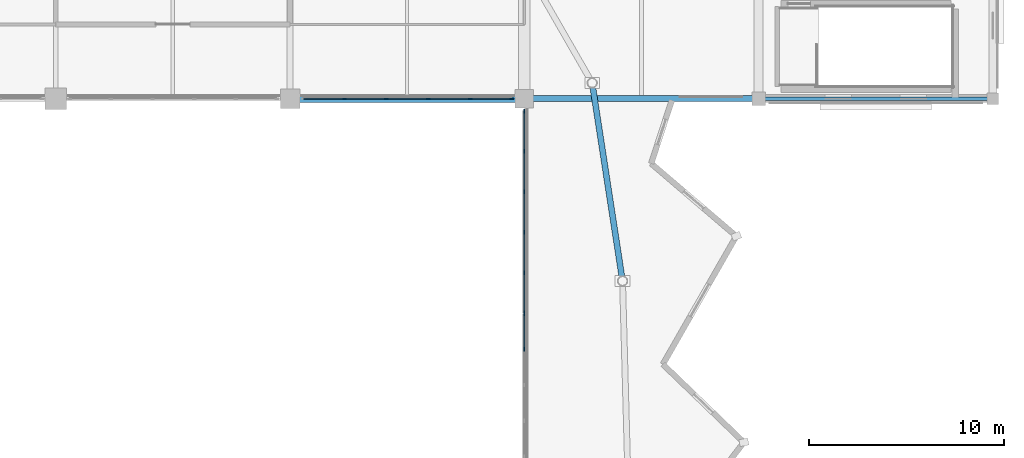
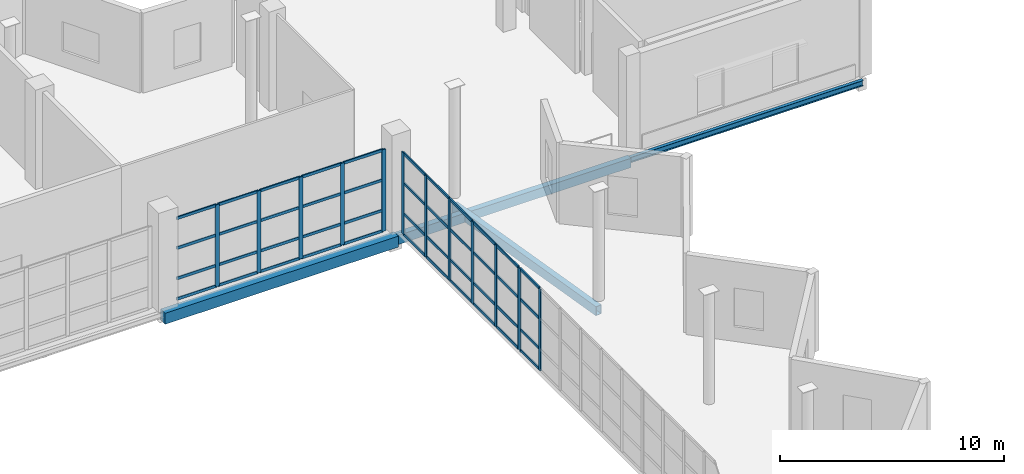
# One storey, part 28 of 49: 57 members, 4 beams, 3 elements without a shape of their own.
"""IFC4 building model written with IfcOpenShell, lengths in metres."""

from ifc_helpers import new_model, si_unit, direction, frame, origin, origin_2d, place, context, subcontext, project, spatial, rectangle, hollow_rectangle, i_section, extrude, material, material_profile, profile_set, type_object, element, aggregate, save


model = new_model("IFC4")

# Units and contexts
model_context = context("Model", 3, precision=1e-05, world=origin(), true_north=direction((0.0, 1.0)))
body_context = subcontext(model_context, "Body", "Model", "MODEL_VIEW")
ifc_project = project(units=[si_unit("LENGTHUNIT", "METRE"), si_unit("AREAUNIT", "SQUARE_METRE"), si_unit("VOLUMEUNIT", "CUBIC_METRE"), si_unit("PLANEANGLEUNIT", "RADIAN"), si_unit("MASSUNIT", "GRAM", prefix="KILO")], contexts=[model_context])

# Site, building, storey
site_placement = place(None, origin())
site = spatial("IfcSite", under=ifc_project, at=site_placement, CompositionType="ELEMENT")
building_placement = place(site_placement, origin())
building = spatial("IfcBuilding", under=site, at=building_placement, Name="Luwafu Chhajja Arena", CompositionType="ELEMENT")
storey_placement = place(building_placement, frame((0.0, 0.0, 24.300048828125)))
storey = spatial("IfcBuildingStorey", under=building, at=storey_placement, Name="L05", CompositionType="ELEMENT", Elevation=24.300048828125)

# Curtain wall, members
ifc_material_1 = material(Name="Anodised bronze aluminium", Category="aluminium")
curtain_wall_type = type_object("IfcCurtainWallType", Name="VIP Club Terrace Curtain Wall", PredefinedType="USERDEFINED", material=ifc_material_1)
curtain_wall_1_placement = place(storey_placement, origin())
curtain_wall_1 = element("IfcCurtainWall", 1, at=curtain_wall_1_placement, inside=storey, type_object=curtain_wall_type, Name="L05 Bowl Viewing Curtain Wall CWR-L05-14", ObjectType="CURTAIN WALL", PredefinedType="USERDEFINED")
ifc_material_profile_1 = material_profile(ifc_material_1, rectangle(XDim=0.06494140625, YDim=0.199951171875, at=origin_2d()), Name="CWM 65x200")
ifc_profile_set_1 = profile_set([ifc_material_profile_1], Name="Anodised bronze aluminium")
member_type_1 = type_object("IfcMemberType", Name="Bronze Curtain Wall Mullion 65x200", PredefinedType="MULLION", material=ifc_profile_set_1)
member_1_placement = place(storey_placement, frame((130.7890625, 77.0, 0.0), z_axis=(0.0, 0.0, 1.0), x_axis=(0.0, 1.0, 0.0)))
member_1 = element("IfcMember", 2, at=member_1_placement, type_object=member_type_1, Name="CW-10 mullion 2", PredefinedType="MULLION", context=body_context, shape_type="SweptSolid", body=[
    extrude(rectangle(XDim=0.06494140625, YDim=0.199951171875, at=origin_2d()), origin(), (0.0, 0.0, 1.0), 4.449951171875),
])
member_2_placement = place(storey_placement, frame((132.93798828125, 77.0, 0.0), z_axis=(0.0, 0.0, 1.0), x_axis=(0.0, 1.0, 0.0)))
member_2 = element("IfcMember", 3, at=member_2_placement, type_object=member_type_1, Name="CW-10 mullion 3", PredefinedType="MULLION", context=body_context, shape_type="SweptSolid", body=[
    extrude(rectangle(XDim=0.06494140625, YDim=0.199951171875, at=origin_2d()), origin(), (0.0, 0.0, 1.0), 4.449951171875),
])
member_3_placement = place(storey_placement, frame((135.0869140625, 77.0, 0.0), z_axis=(0.0, 0.0, 1.0), x_axis=(0.0, 1.0, 0.0)))
member_3 = element("IfcMember", 4, at=member_3_placement, type_object=member_type_1, Name="CW-10 mullion 4", PredefinedType="MULLION", context=body_context, shape_type="SweptSolid", body=[
    extrude(rectangle(XDim=0.06494140625, YDim=0.199951171875, at=origin_2d()), origin(), (0.0, 0.0, 1.0), 4.449951171875),
])
member_4_placement = place(storey_placement, frame((137.236083984375, 77.0, 0.0), z_axis=(0.0, 0.0, 1.0), x_axis=(0.0, 1.0, 0.0)))
member_4 = element("IfcMember", 5, at=member_4_placement, type_object=member_type_1, Name="CW-10 mullion 5", PredefinedType="MULLION", context=body_context, shape_type="SweptSolid", body=[
    extrude(rectangle(XDim=0.06494140625, YDim=0.199951171875, at=origin_2d()), origin(), (0.0, 0.0, 1.0), 4.449951171875),
])
member_5_placement = place(storey_placement, frame((139.3525390625, 77.0, 0.0), z_axis=(0.0, 0.0, 1.0), x_axis=(0.0, 1.0, 0.0)))
member_5 = element("IfcMember", 6, at=member_5_placement, type_object=member_type_1, Name="CW-10 mullion 6", PredefinedType="MULLION", context=body_context, shape_type="SweptSolid", body=[
    extrude(rectangle(XDim=0.06494140625, YDim=0.199951171875, at=origin_2d()), origin(), (0.0, 0.0, 1.0), 4.449951171875),
])

curtain_wall_2_placement = place(storey_placement, origin())
curtain_wall_2 = element("IfcCurtainWall", 7, at=curtain_wall_2_placement, inside=storey, type_object=curtain_wall_type, Name="L05 Bowl Viewing Curtain Wall CWR-L05-23", ObjectType="CURTAIN WALL", PredefinedType="USERDEFINED")
member_6_placement = place(storey_placement, frame((140.0, 64.166748046875, 0.0), z_axis=(0.0, 0.0, 1.0), x_axis=(-1.0, 0.0, 0.0)))
member_6 = element("IfcMember", 8, at=member_6_placement, type_object=member_type_1, Name="CW-10 mullion 6", PredefinedType="MULLION", context=body_context, shape_type="SweptSolid", body=[
    extrude(rectangle(XDim=0.06494140625, YDim=0.199951171875, at=origin_2d()), origin(), (0.0, 0.0, 1.0), 4.449951171875),
])
member_7_placement = place(storey_placement, frame((140.0, 65.967529296875, 0.0), z_axis=(0.0, 0.0, 1.0), x_axis=(-1.0, 0.0, 0.0)))
member_7 = element("IfcMember", 9, at=member_7_placement, type_object=member_type_1, Name="CW-10 mullion 7", PredefinedType="MULLION", context=body_context, shape_type="SweptSolid", body=[
    extrude(rectangle(XDim=0.06494140625, YDim=0.199951171875, at=origin_2d()), origin(), (0.0, 0.0, 1.0), 4.449951171875),
])

curtain_wall_3_placement = place(storey_placement, origin())
curtain_wall_3 = element("IfcCurtainWall", 10, at=curtain_wall_3_placement, inside=storey, type_object=curtain_wall_type, Name="L05 Bowl Viewing Curtain Wall CWR-L05-24", ObjectType="CURTAIN WALL", PredefinedType="USERDEFINED")
member_8_placement = place(storey_placement, frame((140.0, 66.032470703125, 0.0), z_axis=(0.0, 0.0, 1.0), x_axis=(-1.0, 0.0, 0.0)))
member_8 = element("IfcMember", 11, at=member_8_placement, type_object=member_type_1, Name="CW-10 mullion 1", PredefinedType="MULLION", context=body_context, shape_type="SweptSolid", body=[
    extrude(rectangle(XDim=0.06494140625, YDim=0.199951171875, at=origin_2d()), origin(), (0.0, 0.0, 1.0), 4.449951171875),
])
member_9_placement = place(storey_placement, frame((140.0, 68.076904296875, 0.0), z_axis=(0.0, 0.0, 1.0), x_axis=(-1.0, 0.0, 0.0)))
member_9 = element("IfcMember", 12, at=member_9_placement, type_object=member_type_1, Name="CW-10 mullion 2", PredefinedType="MULLION", context=body_context, shape_type="SweptSolid", body=[
    extrude(rectangle(XDim=0.06494140625, YDim=0.199951171875, at=origin_2d()), origin(), (0.0, 0.0, 1.0), 4.449951171875),
])
member_10_placement = place(storey_placement, frame((140.0, 70.154052734375, 0.0), z_axis=(0.0, 0.0, 1.0), x_axis=(-1.0, 0.0, 0.0)))
member_10 = element("IfcMember", 13, at=member_10_placement, type_object=member_type_1, Name="CW-10 mullion 3", PredefinedType="MULLION", context=body_context, shape_type="SweptSolid", body=[
    extrude(rectangle(XDim=0.06494140625, YDim=0.199951171875, at=origin_2d()), origin(), (0.0, 0.0, 1.0), 4.449951171875),
])
member_11_placement = place(storey_placement, frame((140.0, 72.23095703125, 0.0), z_axis=(0.0, 0.0, 1.0), x_axis=(-1.0, 0.0, 0.0)))
member_11 = element("IfcMember", 14, at=member_11_placement, type_object=member_type_1, Name="CW-10 mullion 4", PredefinedType="MULLION", context=body_context, shape_type="SweptSolid", body=[
    extrude(rectangle(XDim=0.06494140625, YDim=0.199951171875, at=origin_2d()), origin(), (0.0, 0.0, 1.0), 4.449951171875),
])
member_12_placement = place(storey_placement, frame((140.0, 74.30810546875, 0.0), z_axis=(0.0, 0.0, 1.0), x_axis=(-1.0, 0.0, 0.0)))
member_12 = element("IfcMember", 15, at=member_12_placement, type_object=member_type_1, Name="CW-10 mullion 5", PredefinedType="MULLION", context=body_context, shape_type="SweptSolid", body=[
    extrude(rectangle(XDim=0.06494140625, YDim=0.199951171875, at=origin_2d()), origin(), (0.0, 0.0, 1.0), 4.449951171875),
])
member_13_placement = place(storey_placement, frame((140.0, 76.3525390625, 0.0), z_axis=(0.0, 0.0, 1.0), x_axis=(-1.0, 0.0, 0.0)))
member_13 = element("IfcMember", 16, at=member_13_placement, type_object=member_type_1, Name="CW-10 mullion 6", PredefinedType="MULLION", context=body_context, shape_type="SweptSolid", body=[
    extrude(rectangle(XDim=0.06494140625, YDim=0.199951171875, at=origin_2d()), origin(), (0.0, 0.0, 1.0), 4.449951171875),
])

# Member
ifc_material_profile_2 = material_profile(ifc_material_1, rectangle(XDim=0.06494140625, YDim=0.14990234375, at=origin_2d()), Name="CWT 65x150")
ifc_profile_set_2 = profile_set([ifc_material_profile_2], Name="Anodised bronze aluminium")
member_type_2 = type_object("IfcMemberType", Name="Bronze Curtain Wall Transom 65x150", PredefinedType="USERDEFINED", material=ifc_profile_set_2)
member_14_placement = place(storey_placement, frame((128.705078125, 77.0, 0.032470703125), z_axis=(1.0, 0.0, 0.0), x_axis=(0.0, 1.0, 0.0)))
member_14 = element("IfcMember", 17, at=member_14_placement, type_object=member_type_2, Name="CW-10 transom 1.1", ObjectType="TRANSOM", PredefinedType="USERDEFINED", context=body_context, shape_type="SweptSolid", body=[
    extrude(rectangle(XDim=0.06494140625, YDim=0.14990234375, at=origin_2d()), origin(), (0.0, 0.0, 1.0), 2.051513671875),
])

member_15_placement = place(storey_placement, frame((128.705078125, 77.0, 1.14990234375), z_axis=(1.0, 0.0, 0.0), x_axis=(0.0, 1.0, 0.0)))
member_15 = element("IfcMember", 18, at=member_15_placement, type_object=member_type_2, Name="CW-10 transom 1.2", ObjectType="TRANSOM", PredefinedType="USERDEFINED", context=body_context, shape_type="SweptSolid", body=[
    extrude(rectangle(XDim=0.06494140625, YDim=0.14990234375, at=origin_2d()), origin(), (0.0, 0.0, 1.0), 2.051513671875),
])

member_16_placement = place(storey_placement, frame((128.705078125, 77.0, 2.800048828125), z_axis=(1.0, 0.0, 0.0), x_axis=(0.0, 1.0, 0.0)))
member_16 = element("IfcMember", 19, at=member_16_placement, type_object=member_type_2, Name="CW-10 transom 1.3", ObjectType="TRANSOM", PredefinedType="USERDEFINED", context=body_context, shape_type="SweptSolid", body=[
    extrude(rectangle(XDim=0.06494140625, YDim=0.14990234375, at=origin_2d()), origin(), (0.0, 0.0, 1.0), 2.051513671875),
])

member_17_placement = place(storey_placement, frame((128.705078125, 77.0, 4.41748046875), z_axis=(1.0, 0.0, 0.0), x_axis=(0.0, 1.0, 0.0)))
member_17 = element("IfcMember", 20, at=member_17_placement, type_object=member_type_2, Name="CW-10 transom 1.4", ObjectType="TRANSOM", PredefinedType="USERDEFINED", context=body_context, shape_type="SweptSolid", body=[
    extrude(rectangle(XDim=0.06494140625, YDim=0.14990234375, at=origin_2d()), origin(), (0.0, 0.0, 1.0), 2.051513671875),
])

member_18_placement = place(storey_placement, frame((130.821533203125, 77.0, 0.032470703125), z_axis=(1.0, 0.0, 0.0), x_axis=(0.0, 1.0, 0.0)))
member_18 = element("IfcMember", 21, at=member_18_placement, type_object=member_type_2, Name="CW-10 transom 2.1", ObjectType="TRANSOM", PredefinedType="USERDEFINED", context=body_context, shape_type="SweptSolid", body=[
    extrude(rectangle(XDim=0.06494140625, YDim=0.14990234375, at=origin_2d()), origin(), (0.0, 0.0, 1.0), 2.083984375),
])

member_19_placement = place(storey_placement, frame((130.821533203125, 77.0, 1.14990234375), z_axis=(1.0, 0.0, 0.0), x_axis=(0.0, 1.0, 0.0)))
member_19 = element("IfcMember", 22, at=member_19_placement, type_object=member_type_2, Name="CW-10 transom 2.2", ObjectType="TRANSOM", PredefinedType="USERDEFINED", context=body_context, shape_type="SweptSolid", body=[
    extrude(rectangle(XDim=0.06494140625, YDim=0.14990234375, at=origin_2d()), origin(), (0.0, 0.0, 1.0), 2.083984375),
])

member_20_placement = place(storey_placement, frame((130.821533203125, 77.0, 2.800048828125), z_axis=(1.0, 0.0, 0.0), x_axis=(0.0, 1.0, 0.0)))
member_20 = element("IfcMember", 23, at=member_20_placement, type_object=member_type_2, Name="CW-10 transom 2.3", ObjectType="TRANSOM", PredefinedType="USERDEFINED", context=body_context, shape_type="SweptSolid", body=[
    extrude(rectangle(XDim=0.06494140625, YDim=0.14990234375, at=origin_2d()), origin(), (0.0, 0.0, 1.0), 2.083984375),
])

member_21_placement = place(storey_placement, frame((130.821533203125, 77.0, 4.41748046875), z_axis=(1.0, 0.0, 0.0), x_axis=(0.0, 1.0, 0.0)))
member_21 = element("IfcMember", 24, at=member_21_placement, type_object=member_type_2, Name="CW-10 transom 2.4", ObjectType="TRANSOM", PredefinedType="USERDEFINED", context=body_context, shape_type="SweptSolid", body=[
    extrude(rectangle(XDim=0.06494140625, YDim=0.14990234375, at=origin_2d()), origin(), (0.0, 0.0, 1.0), 2.083984375),
])

member_22_placement = place(storey_placement, frame((132.970458984375, 77.0, 0.032470703125), z_axis=(1.0, 0.0, 0.0), x_axis=(0.0, 1.0, 0.0)))
member_22 = element("IfcMember", 25, at=member_22_placement, type_object=member_type_2, Name="CW-10 transom 3.1", ObjectType="TRANSOM", PredefinedType="USERDEFINED", context=body_context, shape_type="SweptSolid", body=[
    extrude(rectangle(XDim=0.06494140625, YDim=0.14990234375, at=origin_2d()), origin(), (0.0, 0.0, 1.0), 2.083984375),
])

member_23_placement = place(storey_placement, frame((132.970458984375, 77.0, 1.14990234375), z_axis=(1.0, 0.0, 0.0), x_axis=(0.0, 1.0, 0.0)))
member_23 = element("IfcMember", 26, at=member_23_placement, type_object=member_type_2, Name="CW-10 transom 3.2", ObjectType="TRANSOM", PredefinedType="USERDEFINED", context=body_context, shape_type="SweptSolid", body=[
    extrude(rectangle(XDim=0.06494140625, YDim=0.14990234375, at=origin_2d()), origin(), (0.0, 0.0, 1.0), 2.083984375),
])

member_24_placement = place(storey_placement, frame((132.970458984375, 77.0, 2.800048828125), z_axis=(1.0, 0.0, 0.0), x_axis=(0.0, 1.0, 0.0)))
member_24 = element("IfcMember", 27, at=member_24_placement, type_object=member_type_2, Name="CW-10 transom 3.3", ObjectType="TRANSOM", PredefinedType="USERDEFINED", context=body_context, shape_type="SweptSolid", body=[
    extrude(rectangle(XDim=0.06494140625, YDim=0.14990234375, at=origin_2d()), origin(), (0.0, 0.0, 1.0), 2.083984375),
])

member_25_placement = place(storey_placement, frame((132.970458984375, 77.0, 4.41748046875), z_axis=(1.0, 0.0, 0.0), x_axis=(0.0, 1.0, 0.0)))
member_25 = element("IfcMember", 28, at=member_25_placement, type_object=member_type_2, Name="CW-10 transom 3.4", ObjectType="TRANSOM", PredefinedType="USERDEFINED", context=body_context, shape_type="SweptSolid", body=[
    extrude(rectangle(XDim=0.06494140625, YDim=0.14990234375, at=origin_2d()), origin(), (0.0, 0.0, 1.0), 2.083984375),
])

member_26_placement = place(storey_placement, frame((135.119384765625, 77.0, 0.032470703125), z_axis=(1.0, 0.0, 0.0), x_axis=(0.0, 1.0, 0.0)))
member_26 = element("IfcMember", 29, at=member_26_placement, type_object=member_type_2, Name="CW-10 transom 4.1", ObjectType="TRANSOM", PredefinedType="USERDEFINED", context=body_context, shape_type="SweptSolid", body=[
    extrude(rectangle(XDim=0.06494140625, YDim=0.14990234375, at=origin_2d()), origin(), (0.0, 0.0, 1.0), 2.084228515625),
])

member_27_placement = place(storey_placement, frame((135.119384765625, 77.0, 1.14990234375), z_axis=(1.0, 0.0, 0.0), x_axis=(0.0, 1.0, 0.0)))
member_27 = element("IfcMember", 30, at=member_27_placement, type_object=member_type_2, Name="CW-10 transom 4.2", ObjectType="TRANSOM", PredefinedType="USERDEFINED", context=body_context, shape_type="SweptSolid", body=[
    extrude(rectangle(XDim=0.06494140625, YDim=0.14990234375, at=origin_2d()), origin(), (0.0, 0.0, 1.0), 2.084228515625),
])

member_28_placement = place(storey_placement, frame((135.119384765625, 77.0, 2.800048828125), z_axis=(1.0, 0.0, 0.0), x_axis=(0.0, 1.0, 0.0)))
member_28 = element("IfcMember", 31, at=member_28_placement, type_object=member_type_2, Name="CW-10 transom 4.3", ObjectType="TRANSOM", PredefinedType="USERDEFINED", context=body_context, shape_type="SweptSolid", body=[
    extrude(rectangle(XDim=0.06494140625, YDim=0.14990234375, at=origin_2d()), origin(), (0.0, 0.0, 1.0), 2.084228515625),
])

member_29_placement = place(storey_placement, frame((135.119384765625, 77.0, 4.41748046875), z_axis=(1.0, 0.0, 0.0), x_axis=(0.0, 1.0, 0.0)))
member_29 = element("IfcMember", 32, at=member_29_placement, type_object=member_type_2, Name="CW-10 transom 4.4", ObjectType="TRANSOM", PredefinedType="USERDEFINED", context=body_context, shape_type="SweptSolid", body=[
    extrude(rectangle(XDim=0.06494140625, YDim=0.14990234375, at=origin_2d()), origin(), (0.0, 0.0, 1.0), 2.084228515625),
])

member_30_placement = place(storey_placement, frame((137.2685546875, 77.0, 0.032470703125), z_axis=(1.0, 0.0, 0.0), x_axis=(0.0, 1.0, 0.0)))
member_30 = element("IfcMember", 33, at=member_30_placement, type_object=member_type_2, Name="CW-10 transom 5.1", ObjectType="TRANSOM", PredefinedType="USERDEFINED", context=body_context, shape_type="SweptSolid", body=[
    extrude(rectangle(XDim=0.06494140625, YDim=0.14990234375, at=origin_2d()), origin(), (0.0, 0.0, 1.0), 2.051513671875),
])

member_31_placement = place(storey_placement, frame((137.2685546875, 77.0, 1.14990234375), z_axis=(1.0, 0.0, 0.0), x_axis=(0.0, 1.0, 0.0)))
member_31 = element("IfcMember", 34, at=member_31_placement, type_object=member_type_2, Name="CW-10 transom 5.2", ObjectType="TRANSOM", PredefinedType="USERDEFINED", context=body_context, shape_type="SweptSolid", body=[
    extrude(rectangle(XDim=0.06494140625, YDim=0.14990234375, at=origin_2d()), origin(), (0.0, 0.0, 1.0), 2.051513671875),
])

member_32_placement = place(storey_placement, frame((137.2685546875, 77.0, 2.800048828125), z_axis=(1.0, 0.0, 0.0), x_axis=(0.0, 1.0, 0.0)))
member_32 = element("IfcMember", 35, at=member_32_placement, type_object=member_type_2, Name="CW-10 transom 5.3", ObjectType="TRANSOM", PredefinedType="USERDEFINED", context=body_context, shape_type="SweptSolid", body=[
    extrude(rectangle(XDim=0.06494140625, YDim=0.14990234375, at=origin_2d()), origin(), (0.0, 0.0, 1.0), 2.051513671875),
])

member_33_placement = place(storey_placement, frame((137.2685546875, 77.0, 4.41748046875), z_axis=(1.0, 0.0, 0.0), x_axis=(0.0, 1.0, 0.0)))
member_33 = element("IfcMember", 36, at=member_33_placement, type_object=member_type_2, Name="CW-10 transom 5.4", ObjectType="TRANSOM", PredefinedType="USERDEFINED", context=body_context, shape_type="SweptSolid", body=[
    extrude(rectangle(XDim=0.06494140625, YDim=0.14990234375, at=origin_2d()), origin(), (0.0, 0.0, 1.0), 2.051513671875),
])

aggregate(curtain_wall_1, [member_1, member_2, member_3, member_4, member_5, member_14, member_15, member_16, member_17, member_18, member_19, member_20, member_21, member_22, member_23, member_24, member_25, member_26, member_27, member_28, member_29, member_30, member_31, member_32, member_33])

member_34_placement = place(storey_placement, frame((140.0, 64.19921875, 0.032470703125), z_axis=(0.0, 1.0, 0.0), x_axis=(-1.0, 0.0, 0.0)))
member_34 = element("IfcMember", 37, at=member_34_placement, type_object=member_type_2, Name="CW-10 transom 6.1", ObjectType="TRANSOM", PredefinedType="USERDEFINED", context=body_context, shape_type="SweptSolid", body=[
    extrude(rectangle(XDim=0.06494140625, YDim=0.14990234375, at=origin_2d()), origin(), (0.0, 0.0, 1.0), 1.73583984375),
])

member_35_placement = place(storey_placement, frame((140.0, 64.19921875, 1.14990234375), z_axis=(0.0, 1.0, 0.0), x_axis=(-1.0, 0.0, 0.0)))
member_35 = element("IfcMember", 38, at=member_35_placement, type_object=member_type_2, Name="CW-10 transom 6.2", ObjectType="TRANSOM", PredefinedType="USERDEFINED", context=body_context, shape_type="SweptSolid", body=[
    extrude(rectangle(XDim=0.06494140625, YDim=0.14990234375, at=origin_2d()), origin(), (0.0, 0.0, 1.0), 1.73583984375),
])

member_36_placement = place(storey_placement, frame((140.0, 64.19921875, 2.800048828125), z_axis=(0.0, 1.0, 0.0), x_axis=(-1.0, 0.0, 0.0)))
member_36 = element("IfcMember", 39, at=member_36_placement, type_object=member_type_2, Name="CW-10 transom 6.3", ObjectType="TRANSOM", PredefinedType="USERDEFINED", context=body_context, shape_type="SweptSolid", body=[
    extrude(rectangle(XDim=0.06494140625, YDim=0.14990234375, at=origin_2d()), origin(), (0.0, 0.0, 1.0), 1.73583984375),
])

member_37_placement = place(storey_placement, frame((140.0, 64.19921875, 4.41748046875), z_axis=(0.0, 1.0, 0.0), x_axis=(-1.0, 0.0, 0.0)))
member_37 = element("IfcMember", 40, at=member_37_placement, type_object=member_type_2, Name="CW-10 transom 6.4", ObjectType="TRANSOM", PredefinedType="USERDEFINED", context=body_context, shape_type="SweptSolid", body=[
    extrude(rectangle(XDim=0.06494140625, YDim=0.14990234375, at=origin_2d()), origin(), (0.0, 0.0, 1.0), 1.73583984375),
])

aggregate(curtain_wall_2, [member_6, member_7, member_34, member_35, member_36, member_37])

member_38_placement = place(storey_placement, frame((140.0, 66.06494140625, 0.032470703125), z_axis=(0.0, 1.0, 0.0), x_axis=(-1.0, 0.0, 0.0)))
member_38 = element("IfcMember", 41, at=member_38_placement, type_object=member_type_2, Name="CW-10 transom 1.1", ObjectType="TRANSOM", PredefinedType="USERDEFINED", context=body_context, shape_type="SweptSolid", body=[
    extrude(rectangle(XDim=0.06494140625, YDim=0.14990234375, at=origin_2d()), origin(), (0.0, 0.0, 1.0), 1.9794921875),
])

member_39_placement = place(storey_placement, frame((140.0, 66.06494140625, 1.14990234375), z_axis=(0.0, 1.0, 0.0), x_axis=(-1.0, 0.0, 0.0)))
member_39 = element("IfcMember", 42, at=member_39_placement, type_object=member_type_2, Name="CW-10 transom 1.2", ObjectType="TRANSOM", PredefinedType="USERDEFINED", context=body_context, shape_type="SweptSolid", body=[
    extrude(rectangle(XDim=0.06494140625, YDim=0.14990234375, at=origin_2d()), origin(), (0.0, 0.0, 1.0), 1.9794921875),
])

member_40_placement = place(storey_placement, frame((140.0, 66.06494140625, 2.800048828125), z_axis=(0.0, 1.0, 0.0), x_axis=(-1.0, 0.0, 0.0)))
member_40 = element("IfcMember", 43, at=member_40_placement, type_object=member_type_2, Name="CW-10 transom 1.3", ObjectType="TRANSOM", PredefinedType="USERDEFINED", context=body_context, shape_type="SweptSolid", body=[
    extrude(rectangle(XDim=0.06494140625, YDim=0.14990234375, at=origin_2d()), origin(), (0.0, 0.0, 1.0), 1.9794921875),
])

member_41_placement = place(storey_placement, frame((140.0, 66.06494140625, 4.41748046875), z_axis=(0.0, 1.0, 0.0), x_axis=(-1.0, 0.0, 0.0)))
member_41 = element("IfcMember", 44, at=member_41_placement, type_object=member_type_2, Name="CW-10 transom 1.4", ObjectType="TRANSOM", PredefinedType="USERDEFINED", context=body_context, shape_type="SweptSolid", body=[
    extrude(rectangle(XDim=0.06494140625, YDim=0.14990234375, at=origin_2d()), origin(), (0.0, 0.0, 1.0), 1.9794921875),
])

member_42_placement = place(storey_placement, frame((140.0, 68.109619140625, 0.032470703125), z_axis=(0.0, 1.0, 0.0), x_axis=(-1.0, 0.0, 0.0)))
member_42 = element("IfcMember", 45, at=member_42_placement, type_object=member_type_2, Name="CW-10 transom 2.1", ObjectType="TRANSOM", PredefinedType="USERDEFINED", context=body_context, shape_type="SweptSolid", body=[
    extrude(rectangle(XDim=0.06494140625, YDim=0.14990234375, at=origin_2d()), origin(), (0.0, 0.0, 1.0), 2.011962890625),
])

member_43_placement = place(storey_placement, frame((140.0, 68.109619140625, 1.14990234375), z_axis=(0.0, 1.0, 0.0), x_axis=(-1.0, 0.0, 0.0)))
member_43 = element("IfcMember", 46, at=member_43_placement, type_object=member_type_2, Name="CW-10 transom 2.2", ObjectType="TRANSOM", PredefinedType="USERDEFINED", context=body_context, shape_type="SweptSolid", body=[
    extrude(rectangle(XDim=0.06494140625, YDim=0.14990234375, at=origin_2d()), origin(), (0.0, 0.0, 1.0), 2.011962890625),
])

member_44_placement = place(storey_placement, frame((140.0, 68.109619140625, 2.800048828125), z_axis=(0.0, 1.0, 0.0), x_axis=(-1.0, 0.0, 0.0)))
member_44 = element("IfcMember", 47, at=member_44_placement, type_object=member_type_2, Name="CW-10 transom 2.3", ObjectType="TRANSOM", PredefinedType="USERDEFINED", context=body_context, shape_type="SweptSolid", body=[
    extrude(rectangle(XDim=0.06494140625, YDim=0.14990234375, at=origin_2d()), origin(), (0.0, 0.0, 1.0), 2.011962890625),
])

member_45_placement = place(storey_placement, frame((140.0, 68.109619140625, 4.41748046875), z_axis=(0.0, 1.0, 0.0), x_axis=(-1.0, 0.0, 0.0)))
member_45 = element("IfcMember", 48, at=member_45_placement, type_object=member_type_2, Name="CW-10 transom 2.4", ObjectType="TRANSOM", PredefinedType="USERDEFINED", context=body_context, shape_type="SweptSolid", body=[
    extrude(rectangle(XDim=0.06494140625, YDim=0.14990234375, at=origin_2d()), origin(), (0.0, 0.0, 1.0), 2.011962890625),
])

member_46_placement = place(storey_placement, frame((140.0, 70.1865234375, 0.032470703125), z_axis=(0.0, 1.0, 0.0), x_axis=(-1.0, 0.0, 0.0)))
member_46 = element("IfcMember", 49, at=member_46_placement, type_object=member_type_2, Name="CW-10 transom 3.1", ObjectType="TRANSOM", PredefinedType="USERDEFINED", context=body_context, shape_type="SweptSolid", body=[
    extrude(rectangle(XDim=0.06494140625, YDim=0.14990234375, at=origin_2d()), origin(), (0.0, 0.0, 1.0), 2.011962890625),
])

member_47_placement = place(storey_placement, frame((140.0, 70.1865234375, 1.14990234375), z_axis=(0.0, 1.0, 0.0), x_axis=(-1.0, 0.0, 0.0)))
member_47 = element("IfcMember", 50, at=member_47_placement, type_object=member_type_2, Name="CW-10 transom 3.2", ObjectType="TRANSOM", PredefinedType="USERDEFINED", context=body_context, shape_type="SweptSolid", body=[
    extrude(rectangle(XDim=0.06494140625, YDim=0.14990234375, at=origin_2d()), origin(), (0.0, 0.0, 1.0), 2.011962890625),
])

member_48_placement = place(storey_placement, frame((140.0, 70.1865234375, 2.800048828125), z_axis=(0.0, 1.0, 0.0), x_axis=(-1.0, 0.0, 0.0)))
member_48 = element("IfcMember", 51, at=member_48_placement, type_object=member_type_2, Name="CW-10 transom 3.3", ObjectType="TRANSOM", PredefinedType="USERDEFINED", context=body_context, shape_type="SweptSolid", body=[
    extrude(rectangle(XDim=0.06494140625, YDim=0.14990234375, at=origin_2d()), origin(), (0.0, 0.0, 1.0), 2.011962890625),
])

member_49_placement = place(storey_placement, frame((140.0, 70.1865234375, 4.41748046875), z_axis=(0.0, 1.0, 0.0), x_axis=(-1.0, 0.0, 0.0)))
member_49 = element("IfcMember", 52, at=member_49_placement, type_object=member_type_2, Name="CW-10 transom 3.4", ObjectType="TRANSOM", PredefinedType="USERDEFINED", context=body_context, shape_type="SweptSolid", body=[
    extrude(rectangle(XDim=0.06494140625, YDim=0.14990234375, at=origin_2d()), origin(), (0.0, 0.0, 1.0), 2.011962890625),
])

member_50_placement = place(storey_placement, frame((140.0, 72.263427734375, 0.032470703125), z_axis=(0.0, 1.0, 0.0), x_axis=(-1.0, 0.0, 0.0)))
member_50 = element("IfcMember", 53, at=member_50_placement, type_object=member_type_2, Name="CW-10 transom 4.1", ObjectType="TRANSOM", PredefinedType="USERDEFINED", context=body_context, shape_type="SweptSolid", body=[
    extrude(rectangle(XDim=0.06494140625, YDim=0.14990234375, at=origin_2d()), origin(), (0.0, 0.0, 1.0), 2.011962890625),
])

member_51_placement = place(storey_placement, frame((140.0, 72.263427734375, 1.14990234375), z_axis=(0.0, 1.0, 0.0), x_axis=(-1.0, 0.0, 0.0)))
member_51 = element("IfcMember", 54, at=member_51_placement, type_object=member_type_2, Name="CW-10 transom 4.2", ObjectType="TRANSOM", PredefinedType="USERDEFINED", context=body_context, shape_type="SweptSolid", body=[
    extrude(rectangle(XDim=0.06494140625, YDim=0.14990234375, at=origin_2d()), origin(), (0.0, 0.0, 1.0), 2.011962890625),
])

member_52_placement = place(storey_placement, frame((140.0, 72.263427734375, 2.800048828125), z_axis=(0.0, 1.0, 0.0), x_axis=(-1.0, 0.0, 0.0)))
member_52 = element("IfcMember", 55, at=member_52_placement, type_object=member_type_2, Name="CW-10 transom 4.3", ObjectType="TRANSOM", PredefinedType="USERDEFINED", context=body_context, shape_type="SweptSolid", body=[
    extrude(rectangle(XDim=0.06494140625, YDim=0.14990234375, at=origin_2d()), origin(), (0.0, 0.0, 1.0), 2.011962890625),
])

member_53_placement = place(storey_placement, frame((140.0, 72.263427734375, 4.41748046875), z_axis=(0.0, 1.0, 0.0), x_axis=(-1.0, 0.0, 0.0)))
member_53 = element("IfcMember", 56, at=member_53_placement, type_object=member_type_2, Name="CW-10 transom 4.4", ObjectType="TRANSOM", PredefinedType="USERDEFINED", context=body_context, shape_type="SweptSolid", body=[
    extrude(rectangle(XDim=0.06494140625, YDim=0.14990234375, at=origin_2d()), origin(), (0.0, 0.0, 1.0), 2.011962890625),
])

member_54_placement = place(storey_placement, frame((140.0, 74.340576171875, 0.032470703125), z_axis=(0.0, 1.0, 0.0), x_axis=(-1.0, 0.0, 0.0)))
member_54 = element("IfcMember", 57, at=member_54_placement, type_object=member_type_2, Name="CW-10 transom 5.1", ObjectType="TRANSOM", PredefinedType="USERDEFINED", context=body_context, shape_type="SweptSolid", body=[
    extrude(rectangle(XDim=0.06494140625, YDim=0.14990234375, at=origin_2d()), origin(), (0.0, 0.0, 1.0), 1.9794921875),
])

member_55_placement = place(storey_placement, frame((140.0, 74.340576171875, 1.14990234375), z_axis=(0.0, 1.0, 0.0), x_axis=(-1.0, 0.0, 0.0)))
member_55 = element("IfcMember", 58, at=member_55_placement, type_object=member_type_2, Name="CW-10 transom 5.2", ObjectType="TRANSOM", PredefinedType="USERDEFINED", context=body_context, shape_type="SweptSolid", body=[
    extrude(rectangle(XDim=0.06494140625, YDim=0.14990234375, at=origin_2d()), origin(), (0.0, 0.0, 1.0), 1.9794921875),
])

member_56_placement = place(storey_placement, frame((140.0, 74.340576171875, 2.800048828125), z_axis=(0.0, 1.0, 0.0), x_axis=(-1.0, 0.0, 0.0)))
member_56 = element("IfcMember", 59, at=member_56_placement, type_object=member_type_2, Name="CW-10 transom 5.3", ObjectType="TRANSOM", PredefinedType="USERDEFINED", context=body_context, shape_type="SweptSolid", body=[
    extrude(rectangle(XDim=0.06494140625, YDim=0.14990234375, at=origin_2d()), origin(), (0.0, 0.0, 1.0), 1.9794921875),
])

member_57_placement = place(storey_placement, frame((140.0, 74.340576171875, 4.41748046875), z_axis=(0.0, 1.0, 0.0), x_axis=(-1.0, 0.0, 0.0)))
member_57 = element("IfcMember", 60, at=member_57_placement, type_object=member_type_2, Name="CW-10 transom 5.4", ObjectType="TRANSOM", PredefinedType="USERDEFINED", context=body_context, shape_type="SweptSolid", body=[
    extrude(rectangle(XDim=0.06494140625, YDim=0.14990234375, at=origin_2d()), origin(), (0.0, 0.0, 1.0), 1.9794921875),
])

aggregate(curtain_wall_3, [member_8, member_9, member_10, member_11, member_12, member_13, member_38, member_39, member_40, member_41, member_42, member_43, member_44, member_45, member_46, member_47, member_48, member_49, member_50, member_51, member_52, member_53, member_54, member_55, member_56, member_57])

# Beams
ifc_material_2 = material(Name="Steel S355", Category="steel")
ifc_material_profile_3 = material_profile(ifc_material_2, i_section(OverallWidth=0.165771484375, OverallDepth=0.306640625, WebThickness=0.006591796875, FlangeThickness=0.01171875, at=origin_2d()), Name="UB 305x165x46")
ifc_profile_set_3 = profile_set([ifc_material_profile_3], Name="Steel S355")
beam_type_1 = type_object("IfcBeamType", Name="Concourse Edge Spandrel Beam UB 305x165x46", PredefinedType="SPANDREL", material=ifc_profile_set_3)
beam_1_placement = place(storey_placement, frame((152.0, 77.0, -0.54345703125), z_axis=(1.0, 0.0, 0.0), x_axis=(0.0, 1.0, 0.0)))
element("IfcBeam", 61, at=beam_1_placement, inside=storey, type_object=beam_type_1, Name="L05 Grid Beam 14-15/H", PredefinedType="SPANDREL", context=body_context, shape_type="SweptSolid", body=[
    extrude(i_section(OverallWidth=0.165771484375, OverallDepth=0.306640625, WebThickness=0.006591796875, FlangeThickness=0.01171875, at=origin_2d()), origin(), (0.0, 0.0, 1.0), 12.0),
])
ifc_material_profile_4 = material_profile(ifc_material_2, hollow_rectangle(XDim=0.300048828125, YDim=0.5, WallThickness=0.02001953125, at=origin_2d()), Name="RHS 500x300x20")
ifc_profile_set_4 = profile_set([ifc_material_profile_4], Name="Steel S355")
beam_type_2 = type_object("IfcBeamType", Name="Pleated Drum Spandrel Beam RHS 500x300", PredefinedType="SPANDREL", material=ifc_profile_set_4)
beam_2_placement = place(storey_placement, frame((140.0, 77.0, -0.64013671875), z_axis=(1.0, 0.0, 0.0), x_axis=(0.0, 1.0, 0.0)))
element("IfcBeam", 62, at=beam_2_placement, inside=storey, type_object=beam_type_2, Name="L05 Grid Beam 13-14/H", PredefinedType="SPANDREL", context=body_context, shape_type="SweptSolid", body=[
    extrude(hollow_rectangle(XDim=0.300048828125, YDim=0.5, WallThickness=0.02001953125, at=origin_2d()), origin(), (0.0, 0.0, 1.0), 12.0),
])
beam_3_placement = place(storey_placement, frame((145.031982421875, 67.6611328125, -0.64013671875), z_axis=(-0.1515977802, 0.988442265911, 0.0), x_axis=(-0.988442265911, -0.1515977802, 0.0)))
element("IfcBeam", 63, at=beam_3_placement, inside=storey, type_object=beam_type_2, Name="L05 Drum Ring Spandrel D03-D04", PredefinedType="SPANDREL", context=body_context, shape_type="SweptSolid", body=[
    extrude(hollow_rectangle(XDim=0.300048828125, YDim=0.5, WallThickness=0.02001953125, at=origin_2d()), origin(), (0.0, 0.0, 1.0), 10.263427734375),
])
ifc_material_3 = material(Name="Concrete C35/45", Category="concrete")
ifc_material_profile_5 = material_profile(ifc_material_3, rectangle(XDim=0.39990234375, YDim=0.60009765625, at=origin_2d()), Name="RC 400x600")
ifc_profile_set_5 = profile_set([ifc_material_profile_5], Name="Concrete C35/45")
beam_type_3 = type_object("IfcBeamType", Name="Podium Perimeter Spandrel RC 400x600", PredefinedType="SPANDREL", material=ifc_profile_set_5)
beam_4_placement = place(storey_placement, frame((128.0, 77.0, -0.68994140625), z_axis=(1.0, 0.0, 0.0), x_axis=(0.0, 1.0, 0.0)))
element("IfcBeam", 64, at=beam_4_placement, inside=storey, type_object=beam_type_3, Name="L05 Grid Beam 12-13/H", PredefinedType="SPANDREL", context=body_context, shape_type="SweptSolid", body=[
    extrude(rectangle(XDim=0.39990234375, YDim=0.60009765625, at=origin_2d()), origin(), (0.0, 0.0, 1.0), 12.0),
])

save(model, "model.ifc")
